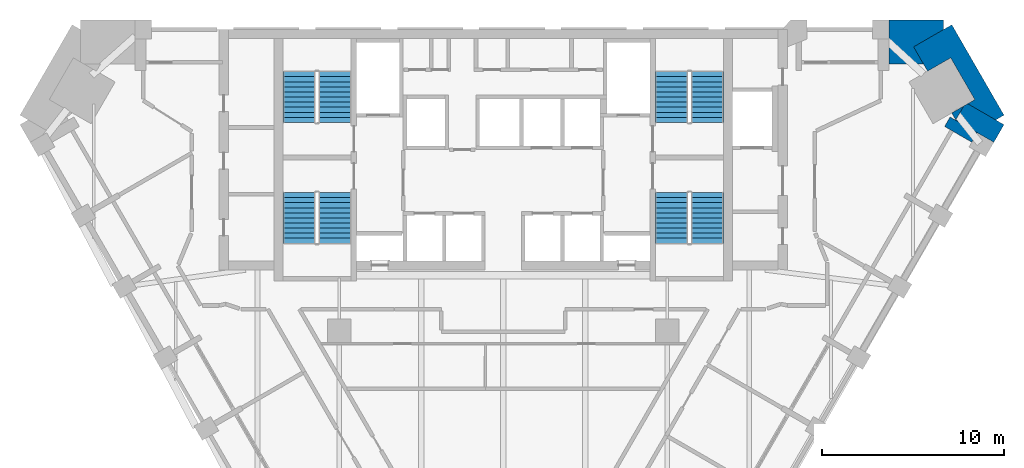
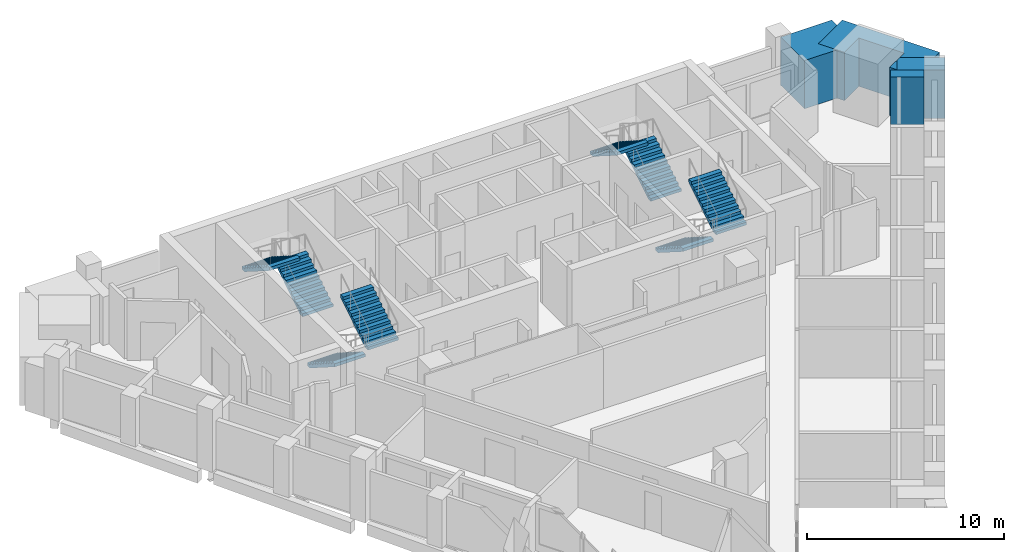
# One storey, part 8 of 9: 8 stair flights, 5 walls, 4 elements without a shape of their own.
"""IFC4 building model written with IfcOpenShell, lengths in metres."""

from ifc_helpers import new_model, si_unit, direction, frame, frame_2d, origin, place, context, subcontext, project, spatial, polyline, rectangle, outline, extrude, faceted_brep, source, transform, mapped, material, layer, layer_set, type_object, element, aggregate, save


model = new_model("IFC4")

# Units and contexts
model_context = context("Model", 3, precision=1e-05, world=origin(), true_north=direction((0.0, 1.0)))
body_context = subcontext(model_context, "Body", "Model", "MODEL_VIEW")
ifc_project = project(units=[si_unit("LENGTHUNIT", "METRE"), si_unit("AREAUNIT", "SQUARE_METRE"), si_unit("VOLUMEUNIT", "CUBIC_METRE"), si_unit("PLANEANGLEUNIT", "RADIAN"), si_unit("MASSUNIT", "GRAM", prefix="KILO")], contexts=[model_context])

# Site, building, storey
site_placement = place(None, origin())
site = spatial("IfcSite", under=ifc_project, at=site_placement, CompositionType="ELEMENT")
building_placement = place(site_placement, origin())
building = spatial("IfcBuilding", under=site, at=building_placement, Name="Calabash Gate Tower", CompositionType="ELEMENT")
storey_placement = place(building_placement, frame((0.0, 0.0, 171.89990234375)))
storey = spatial("IfcBuildingStorey", under=building, at=storey_placement, Name="L40", CompositionType="ELEMENT", Elevation=171.89990234375)

# Walls
ifc_material_1 = material(Name="Terracotta brick masonry, exposed face", Category="masonry")
ifc_layer_1 = layer(ifc_material_1, 2.425048828125)
ifc_layer_set_1 = layer_set([ifc_layer_1], Name="Brick corner mass wall 2425")
wall_type_1 = type_object("IfcWallType", Name="Brick corner mass wall 2425", PredefinedType="SOLIDWALL", material=ifc_layer_set_1)
wall_1_placement = place(storey_placement, origin())
element("IfcWall", 1, at=wall_1_placement, inside=storey, type_object=wall_type_1, Name="Brick corner pier S11 3a", PredefinedType="SOLIDWALL", context=body_context, shape_type="SweptSolid", body=[
    extrude(outline(polyline([(24.842529296875, 14.07275390625), (26.942626953125, 12.8603515625), (27.5009765625, 13.827392578125), (25.5068359375, 14.978759765625), (25.294921875, 14.8564453125), (24.842529296875, 14.07275390625)])), origin(), (0.0, 0.0, 1.0), 3.0),
])
wall_2_placement = place(storey_placement, origin())
element("IfcWall", 2, at=wall_2_placement, inside=storey, type_object=wall_type_1, Name="Brick corner pier S11 3ba", PredefinedType="SOLIDWALL", context=body_context, shape_type="SweptSolid", body=[
    extrude(outline(polyline([(24.852294921875, 14.08984375), (25.294921875, 14.8564453125), (24.631103515625, 14.47314453125), (24.852294921875, 14.08984375)])), origin(), (0.0, 0.0, 1.0), 3.0),
])
wall_3_placement = place(storey_placement, origin())
element("IfcWall", 3, at=wall_3_placement, inside=storey, type_object=wall_type_1, Name="Brick corner pier S11 3bb", PredefinedType="SOLIDWALL", context=body_context, shape_type="SweptSolid", body=[
    extrude(outline(polyline([(24.572021484375, 17.4990234375), (25.89697265625, 15.2041015625), (25.343994140625, 14.884765625), (25.5068359375, 14.978759765625), (27.04638671875, 14.08984375), (27.5009765625, 14.352294921875), (24.6357421875, 19.31494140625), (22.53564453125, 18.1025390625), (23.30615234375, 16.76806640625), (24.572021484375, 17.4990234375)])), origin(), (0.0, 0.0, 1.0), 3.0),
])
wall_4_placement = place(storey_placement, origin())
element("IfcWall", 4, at=wall_4_placement, inside=storey, type_object=wall_type_1, Name="Brick corner pier S11 3c", PredefinedType="SOLIDWALL", context=body_context, shape_type="SweptSolid", body=[
    extrude(outline(polyline([(21.1796875, 18.528076171875), (21.1796875, 17.152587890625), (23.084228515625, 17.152587890625), (22.53564453125, 18.1025390625), (24.18115234375, 19.052490234375), (24.18115234375, 19.57763671875), (21.179931640625, 19.57763671875), (21.179931640625, 18.528076171875), (21.1796875, 18.528076171875)])), origin(), (0.0, 0.0, 1.0), 3.0),
])
ifc_material_2 = material(Name="Terracotta brick masonry, exposed face", Category="masonry")
ifc_layer_2 = layer(ifc_material_2, 0.300048828125)
ifc_layer_set_2 = layer_set([ifc_layer_2], Name="Brick loggia cheek wall 300")
wall_type_2 = type_object("IfcWallType", Name="Brick loggia cheek wall 300", PredefinedType="SOLIDWALL", material=ifc_layer_set_2)
wall_5_placement = place(storey_placement, frame((25.88330078125, 13.12548828125, 0.0), z_axis=(0.0, 0.0, 1.0), x_axis=(-0.866013532718, 0.500020560727, 0.0)))
element("IfcWall", 5, at=wall_5_placement, inside=storey, type_object=wall_type_2, Name="Loggia cheek S11 SE4.8", PredefinedType="SOLIDWALL", context=body_context, shape_type="SweptSolid", body=[
    extrude(rectangle(XDim=1.72509765625, YDim=0.60009765625, at=frame_2d((0.862548828125, 0.0))), origin(), (0.0, 0.0, 1.0), 3.0),
])

# Stair, stair flights
ifc_material_3 = material(Name="Concrete C40/50", Category="concrete")
stair_type = type_object("IfcStairType", Name="Exit stair 22 risers of 177.3 mm", PredefinedType="HALF_TURN_STAIR", material=ifc_material_3)
stair_1_placement = place(storey_placement, origin())
stair_1 = element("IfcStair", 6, at=stair_1_placement, inside=storey, type_object=stair_type, Name="L40 Exit stair ST1", PredefinedType="HALF_TURN_STAIR")
ifc_material_4 = material(Name="Concrete C40/50", Category="concrete")
stair_flight_type = type_object("IfcStairFlightType", Name="Exit stair flight SFL", PredefinedType="STRAIGHT", material=ifc_material_4)
shared_shape = source(origin(), body_context, "Body", "Brep", [
    faceted_brep([(-0.0009765625, -0.89990234375, 0.0), (0.279541015625, -0.89990234375, 0.0), (2.791015625, -0.89990234375, 1.59521484375), (-0.0009765625, 0.89990234375, 0.0), (2.791015625, 0.89990234375, 1.59521484375), (0.279541015625, 0.89990234375, 0.0), (2.791015625, -0.89990234375, 1.78466796875), (2.7900390625, -0.89990234375, 1.78466796875), (2.7900390625, 0.89990234375, 1.78466796875), (2.791015625, 0.89990234375, 1.78466796875), (2.7900390625, -0.89990234375, 1.772705078125), (2.7900390625, 0.89990234375, 1.772705078125), (2.510986328125, -0.89990234375, 1.772705078125), (2.510986328125, 0.89990234375, 1.772705078125), (2.510986328125, -0.89990234375, 1.595458984375), (2.510986328125, 0.89990234375, 1.595458984375), (2.23193359375, -0.89990234375, 1.595458984375), (2.23193359375, 0.89990234375, 1.595458984375), (2.23193359375, -0.89990234375, 1.418212890625), (2.23193359375, 0.89990234375, 1.418212890625), (1.952880859375, -0.89990234375, 1.418212890625), (1.952880859375, -0.89990234375, 1.240966796875), (1.952880859375, 0.89990234375, 1.240966796875), (1.952880859375, 0.89990234375, 1.418212890625), (1.674072265625, -0.89990234375, 1.240966796875), (1.674072265625, -0.89990234375, 1.063720703125), (1.674072265625, 0.89990234375, 1.063720703125), (1.674072265625, 0.89990234375, 1.240966796875), (1.39501953125, -0.89990234375, 1.063720703125), (1.39501953125, -0.89990234375, 0.886474609375), (1.39501953125, 0.89990234375, 0.886474609375), (1.39501953125, 0.89990234375, 1.063720703125), (1.115966796875, -0.89990234375, 0.886474609375), (1.115966796875, -0.89990234375, 0.708984375), (1.115966796875, 0.89990234375, 0.708984375), (1.115966796875, 0.89990234375, 0.886474609375), (0.8369140625, -0.89990234375, 0.708984375), (0.8369140625, -0.89990234375, 0.53173828125), (0.8369140625, 0.89990234375, 0.53173828125), (0.8369140625, 0.89990234375, 0.708984375), (0.55810546875, -0.89990234375, 0.53173828125), (0.55810546875, -0.89990234375, 0.3544921875), (0.55810546875, 0.89990234375, 0.3544921875), (0.55810546875, 0.89990234375, 0.53173828125), (0.279052734375, -0.89990234375, 0.3544921875), (0.279052734375, -0.89990234375, 0.17724609375), (0.279052734375, 0.89990234375, 0.17724609375), (0.279052734375, 0.89990234375, 0.3544921875), (-0.0009765625, -0.89990234375, 0.17724609375), (-0.0009765625, 0.89990234375, 0.17724609375), (0.279541015625, -0.360107421875, 0.0), (2.791015625, -0.360107421875, 1.59521484375), (0.279541015625, 0.0, 0.0), (2.791015625, 0.0, 1.59521484375), (0.279541015625, 0.360107421875, 0.0), (2.791015625, 0.360107421875, 1.59521484375), (2.791015625, -0.360107421875, 1.78466796875), (2.791015625, 0.0, 1.78466796875), (2.791015625, 0.360107421875, 1.78466796875), (2.7900390625, -0.360107421875, 1.78466796875), (2.7900390625, 0.0, 1.78466796875), (2.7900390625, 0.360107421875, 1.78466796875), (2.7900390625, -0.360107421875, 1.772705078125), (2.7900390625, 0.0, 1.772705078125), (2.7900390625, 0.360107421875, 1.772705078125), (2.510986328125, -0.360107421875, 1.772705078125), (2.510986328125, 0.0, 1.772705078125), (2.510986328125, 0.360107421875, 1.772705078125), (2.510986328125, -0.360107421875, 1.595458984375), (2.510986328125, 0.0, 1.595458984375), (2.510986328125, 0.360107421875, 1.595458984375), (2.23193359375, -0.360107421875, 1.595458984375), (2.23193359375, 0.0, 1.595458984375), (2.23193359375, 0.360107421875, 1.595458984375), (2.23193359375, -0.360107421875, 1.418212890625), (2.23193359375, 0.0, 1.418212890625), (2.23193359375, 0.360107421875, 1.418212890625), (1.952880859375, -0.360107421875, 1.418212890625), (1.952880859375, 0.0, 1.418212890625), (1.952880859375, 0.360107421875, 1.418212890625), (1.952880859375, -0.360107421875, 1.240966796875), (1.952880859375, 0.0, 1.240966796875), (1.952880859375, 0.360107421875, 1.240966796875), (1.674072265625, -0.360107421875, 1.240966796875), (1.674072265625, 0.0, 1.240966796875), (1.674072265625, 0.360107421875, 1.240966796875), (1.674072265625, -0.360107421875, 1.063720703125), (1.674072265625, 0.0, 1.063720703125), (1.674072265625, 0.360107421875, 1.063720703125), (1.39501953125, -0.360107421875, 1.063720703125), (1.39501953125, 0.0, 1.063720703125), (1.39501953125, 0.360107421875, 1.063720703125), (1.39501953125, -0.360107421875, 0.886474609375), (1.39501953125, 0.0, 0.886474609375), (1.39501953125, 0.360107421875, 0.886474609375), (1.115966796875, -0.360107421875, 0.886474609375), (1.115966796875, 0.0, 0.886474609375), (1.115966796875, 0.360107421875, 0.886474609375), (1.115966796875, -0.360107421875, 0.708984375), (1.115966796875, 0.0, 0.708984375), (1.115966796875, 0.360107421875, 0.708984375), (0.8369140625, -0.360107421875, 0.708984375), (0.8369140625, 0.0, 0.708984375), (0.8369140625, 0.360107421875, 0.708984375), (0.8369140625, -0.360107421875, 0.53173828125), (0.8369140625, 0.0, 0.53173828125), (0.8369140625, 0.360107421875, 0.53173828125), (0.55810546875, -0.360107421875, 0.53173828125), (0.55810546875, 0.0, 0.53173828125), (0.55810546875, 0.360107421875, 0.53173828125), (0.55810546875, -0.360107421875, 0.3544921875), (0.55810546875, 0.0, 0.3544921875), (0.55810546875, 0.360107421875, 0.3544921875), (0.279052734375, -0.360107421875, 0.3544921875), (0.279052734375, 0.0, 0.3544921875), (0.279052734375, 0.360107421875, 0.3544921875), (0.279052734375, -0.360107421875, 0.17724609375), (0.279052734375, 0.0, 0.17724609375), (0.279052734375, 0.360107421875, 0.17724609375), (-0.0009765625, -0.360107421875, 0.17724609375), (-0.0009765625, 0.0, 0.17724609375), (-0.0009765625, 0.360107421875, 0.17724609375), (-0.0009765625, -0.360107421875, 0.0), (-0.0009765625, 0.0, 0.0), (-0.0009765625, 0.360107421875, 0.0)], [[[0, 1, 2]], [[3, 4, 5]], [[2, 6, 7]], [[4, 8, 9]], [[2, 7, 10]], [[4, 11, 8]], [[2, 10, 12]], [[4, 13, 11]], [[2, 12, 14]], [[4, 15, 13]], [[2, 14, 16]], [[4, 17, 15]], [[2, 16, 18]], [[4, 19, 17]], [[18, 20, 21]], [[19, 22, 23]], [[2, 18, 21]], [[4, 22, 19]], [[21, 24, 25]], [[22, 26, 27]], [[2, 21, 25]], [[4, 26, 22]], [[25, 28, 29]], [[26, 30, 31]], [[2, 25, 29]], [[4, 30, 26]], [[29, 32, 33]], [[30, 34, 35]], [[2, 29, 33]], [[4, 34, 30]], [[33, 36, 37]], [[34, 38, 39]], [[2, 33, 37]], [[4, 38, 34]], [[37, 40, 41]], [[38, 42, 43]], [[2, 37, 41]], [[4, 42, 38]], [[41, 44, 45]], [[42, 46, 47]], [[2, 41, 45]], [[4, 46, 42]], [[0, 2, 45]], [[3, 46, 4]], [[45, 48, 0]], [[46, 3, 49]], [[1, 50, 2]], [[50, 51, 2]], [[50, 52, 51]], [[52, 53, 51]], [[52, 54, 55]], [[52, 55, 53]], [[54, 5, 4]], [[54, 4, 55]], [[2, 51, 6]], [[51, 56, 6]], [[51, 53, 56]], [[53, 57, 56]], [[53, 55, 58]], [[53, 58, 57]], [[55, 4, 9]], [[55, 9, 58]], [[6, 56, 7]], [[56, 59, 7]], [[56, 57, 59]], [[57, 60, 59]], [[57, 58, 61]], [[57, 61, 60]], [[58, 9, 8]], [[58, 8, 61]], [[7, 59, 10]], [[59, 62, 10]], [[59, 60, 62]], [[60, 63, 62]], [[60, 61, 64]], [[60, 64, 63]], [[61, 8, 11]], [[61, 11, 64]], [[10, 62, 12]], [[62, 65, 12]], [[62, 63, 65]], [[63, 66, 65]], [[63, 64, 67]], [[63, 67, 66]], [[64, 11, 13]], [[64, 13, 67]], [[12, 65, 14]], [[65, 68, 14]], [[65, 66, 68]], [[66, 69, 68]], [[66, 67, 70]], [[66, 70, 69]], [[67, 13, 15]], [[67, 15, 70]], [[14, 68, 16]], [[68, 71, 16]], [[68, 69, 71]], [[69, 72, 71]], [[69, 70, 73]], [[69, 73, 72]], [[70, 15, 17]], [[70, 17, 73]], [[16, 71, 18]], [[71, 74, 18]], [[71, 72, 74]], [[72, 75, 74]], [[72, 73, 76]], [[72, 76, 75]], [[73, 17, 19]], [[73, 19, 76]], [[18, 74, 20]], [[74, 77, 20]], [[74, 75, 77]], [[75, 78, 77]], [[75, 76, 79]], [[75, 79, 78]], [[76, 19, 23]], [[76, 23, 79]], [[20, 77, 21]], [[77, 80, 21]], [[77, 78, 80]], [[78, 81, 80]], [[78, 79, 82]], [[78, 82, 81]], [[79, 23, 22]], [[79, 22, 82]], [[21, 80, 24]], [[80, 83, 24]], [[80, 81, 83]], [[81, 84, 83]], [[81, 82, 85]], [[81, 85, 84]], [[82, 22, 27]], [[82, 27, 85]], [[24, 83, 25]], [[83, 86, 25]], [[83, 84, 86]], [[84, 87, 86]], [[84, 85, 88]], [[84, 88, 87]], [[85, 27, 26]], [[85, 26, 88]], [[25, 86, 28]], [[86, 89, 28]], [[86, 87, 89]], [[87, 90, 89]], [[87, 88, 91]], [[87, 91, 90]], [[88, 26, 31]], [[88, 31, 91]], [[28, 89, 29]], [[89, 92, 29]], [[89, 90, 92]], [[90, 93, 92]], [[90, 91, 94]], [[90, 94, 93]], [[91, 31, 30]], [[91, 30, 94]], [[29, 92, 32]], [[92, 95, 32]], [[92, 93, 95]], [[93, 96, 95]], [[93, 94, 97]], [[93, 97, 96]], [[94, 30, 35]], [[94, 35, 97]], [[32, 95, 33]], [[95, 98, 33]], [[95, 96, 98]], [[96, 99, 98]], [[96, 97, 100]], [[96, 100, 99]], [[97, 35, 34]], [[97, 34, 100]], [[33, 98, 36]], [[98, 101, 36]], [[98, 99, 101]], [[99, 102, 101]], [[99, 100, 103]], [[99, 103, 102]], [[100, 34, 39]], [[100, 39, 103]], [[36, 101, 37]], [[101, 104, 37]], [[101, 102, 104]], [[102, 105, 104]], [[102, 103, 106]], [[102, 106, 105]], [[103, 39, 38]], [[103, 38, 106]], [[37, 104, 40]], [[104, 107, 40]], [[104, 105, 107]], [[105, 108, 107]], [[105, 106, 109]], [[105, 109, 108]], [[106, 38, 43]], [[106, 43, 109]], [[40, 107, 41]], [[107, 110, 41]], [[107, 108, 110]], [[108, 111, 110]], [[108, 109, 112]], [[108, 112, 111]], [[109, 43, 42]], [[109, 42, 112]], [[41, 110, 44]], [[110, 113, 44]], [[110, 111, 113]], [[111, 114, 113]], [[111, 112, 115]], [[111, 115, 114]], [[112, 42, 47]], [[112, 47, 115]], [[44, 113, 45]], [[113, 116, 45]], [[113, 114, 116]], [[114, 117, 116]], [[114, 115, 118]], [[114, 118, 117]], [[115, 47, 46]], [[115, 46, 118]], [[45, 116, 48]], [[116, 119, 48]], [[116, 117, 119]], [[117, 120, 119]], [[117, 118, 121]], [[117, 121, 120]], [[118, 46, 49]], [[118, 49, 121]], [[48, 119, 0]], [[119, 122, 0]], [[119, 120, 122]], [[120, 123, 122]], [[120, 121, 124]], [[120, 124, 123]], [[121, 49, 3]], [[121, 3, 124]], [[0, 122, 1]], [[122, 50, 1]], [[122, 123, 50]], [[123, 52, 50]], [[123, 124, 54]], [[123, 54, 52]], [[124, 3, 5]], [[124, 5, 54]]]),
])
stair_flight_1_placement = place(storey_placement, frame((-9.25, 13.95263671875, 0.0), z_axis=(0.0, 0.0, 1.0), x_axis=(0.0, 1.0, 0.0)))
stair_flight_1 = element("IfcStairFlight", 7, at=stair_flight_1_placement, type_object=stair_flight_type, Name="ST1 flight 1", NumberOfRisers=11, NumberOfTreads=10, PredefinedType="STRAIGHT", RiserHeight=0.177272727, TreadLength=0.279, context=body_context, shape_type="MappedRepresentation", body=[
    mapped(shared_shape, transform((0.0, 0.0, 0.0), scale=1.0)),
])
stair_flight_2_placement = place(storey_placement, frame((-11.199951171875, 16.74267578125, 1.9501953125), z_axis=(0.0, 0.0, 1.0), x_axis=(0.0, -1.0, 0.0)))
stair_flight_2 = element("IfcStairFlight", 8, at=stair_flight_2_placement, type_object=stair_flight_type, Name="ST1 flight 2", NumberOfRisers=11, NumberOfTreads=10, PredefinedType="STRAIGHT", RiserHeight=0.177272727, TreadLength=0.279, context=body_context, shape_type="MappedRepresentation", body=[
    mapped(shared_shape, transform((0.0, 0.0, 0.0), scale=1.0)),
])
aggregate(stair_1, [stair_flight_1, stair_flight_2])

stair_2_placement = place(storey_placement, origin())
stair_2 = element("IfcStair", 9, at=stair_2_placement, inside=storey, type_object=stair_type, Name="L40 Exit stair ST2", PredefinedType="HALF_TURN_STAIR")
stair_flight_3_placement = place(storey_placement, frame((-11.199951171875, 10.1025390625, 0.0), z_axis=(0.0, 0.0, 1.0), x_axis=(0.0, -1.0, 0.0)))
stair_flight_3 = element("IfcStairFlight", 10, at=stair_flight_3_placement, type_object=stair_flight_type, Name="ST2 flight 1", NumberOfRisers=11, NumberOfTreads=10, PredefinedType="STRAIGHT", RiserHeight=0.177272727, TreadLength=0.279, context=body_context, shape_type="MappedRepresentation", body=[
    mapped(shared_shape, transform((0.0, 0.0, 0.0), scale=1.0)),
])
stair_flight_4_placement = place(storey_placement, frame((-9.25, 7.3125, 1.9501953125), z_axis=(0.0, 0.0, 1.0), x_axis=(0.0, 1.0, 0.0)))
stair_flight_4 = element("IfcStairFlight", 11, at=stair_flight_4_placement, type_object=stair_flight_type, Name="ST2 flight 2", NumberOfRisers=11, NumberOfTreads=10, PredefinedType="STRAIGHT", RiserHeight=0.177272727, TreadLength=0.279, context=body_context, shape_type="MappedRepresentation", body=[
    mapped(shared_shape, transform((0.0, 0.0, 0.0), scale=1.0)),
])
aggregate(stair_2, [stair_flight_3, stair_flight_4])

stair_3_placement = place(storey_placement, origin())
stair_3 = element("IfcStair", 12, at=stair_3_placement, inside=storey, type_object=stair_type, Name="L40 Exit stair ST3", PredefinedType="HALF_TURN_STAIR")
stair_flight_5_placement = place(storey_placement, frame((11.199951171875, 13.95263671875, 0.0), z_axis=(0.0, 0.0, 1.0), x_axis=(0.0, 1.0, 0.0)))
stair_flight_5 = element("IfcStairFlight", 13, at=stair_flight_5_placement, type_object=stair_flight_type, Name="ST3 flight 1", NumberOfRisers=11, NumberOfTreads=10, PredefinedType="STRAIGHT", RiserHeight=0.177272727, TreadLength=0.279, context=body_context, shape_type="MappedRepresentation", body=[
    mapped(shared_shape, transform((0.0, 0.0, 0.0), scale=1.0)),
])
stair_flight_6_placement = place(storey_placement, frame((9.25, 16.74267578125, 1.9501953125), z_axis=(0.0, 0.0, 1.0), x_axis=(0.0, -1.0, 0.0)))
stair_flight_6 = element("IfcStairFlight", 14, at=stair_flight_6_placement, type_object=stair_flight_type, Name="ST3 flight 2", NumberOfRisers=11, NumberOfTreads=10, PredefinedType="STRAIGHT", RiserHeight=0.177272727, TreadLength=0.279, context=body_context, shape_type="MappedRepresentation", body=[
    mapped(shared_shape, transform((0.0, 0.0, 0.0), scale=1.0)),
])
aggregate(stair_3, [stair_flight_5, stair_flight_6])

stair_4_placement = place(storey_placement, origin())
stair_4 = element("IfcStair", 15, at=stair_4_placement, inside=storey, type_object=stair_type, Name="L40 Exit stair ST4", PredefinedType="HALF_TURN_STAIR")
stair_flight_7_placement = place(storey_placement, frame((9.25, 10.1025390625, 0.0), z_axis=(0.0, 0.0, 1.0), x_axis=(0.0, -1.0, 0.0)))
stair_flight_7 = element("IfcStairFlight", 16, at=stair_flight_7_placement, type_object=stair_flight_type, Name="ST4 flight 1", NumberOfRisers=11, NumberOfTreads=10, PredefinedType="STRAIGHT", RiserHeight=0.177272727, TreadLength=0.279, context=body_context, shape_type="MappedRepresentation", body=[
    mapped(shared_shape, transform((0.0, 0.0, 0.0), scale=1.0)),
])
stair_flight_8_placement = place(storey_placement, frame((11.199951171875, 7.3125, 1.9501953125), z_axis=(0.0, 0.0, 1.0), x_axis=(0.0, 1.0, 0.0)))
stair_flight_8 = element("IfcStairFlight", 17, at=stair_flight_8_placement, type_object=stair_flight_type, Name="ST4 flight 2", NumberOfRisers=11, NumberOfTreads=10, PredefinedType="STRAIGHT", RiserHeight=0.177272727, TreadLength=0.279, context=body_context, shape_type="MappedRepresentation", body=[
    mapped(shared_shape, transform((0.0, 0.0, 0.0), scale=1.0)),
])
aggregate(stair_4, [stair_flight_7, stair_flight_8])

save(model, "model.ifc")
